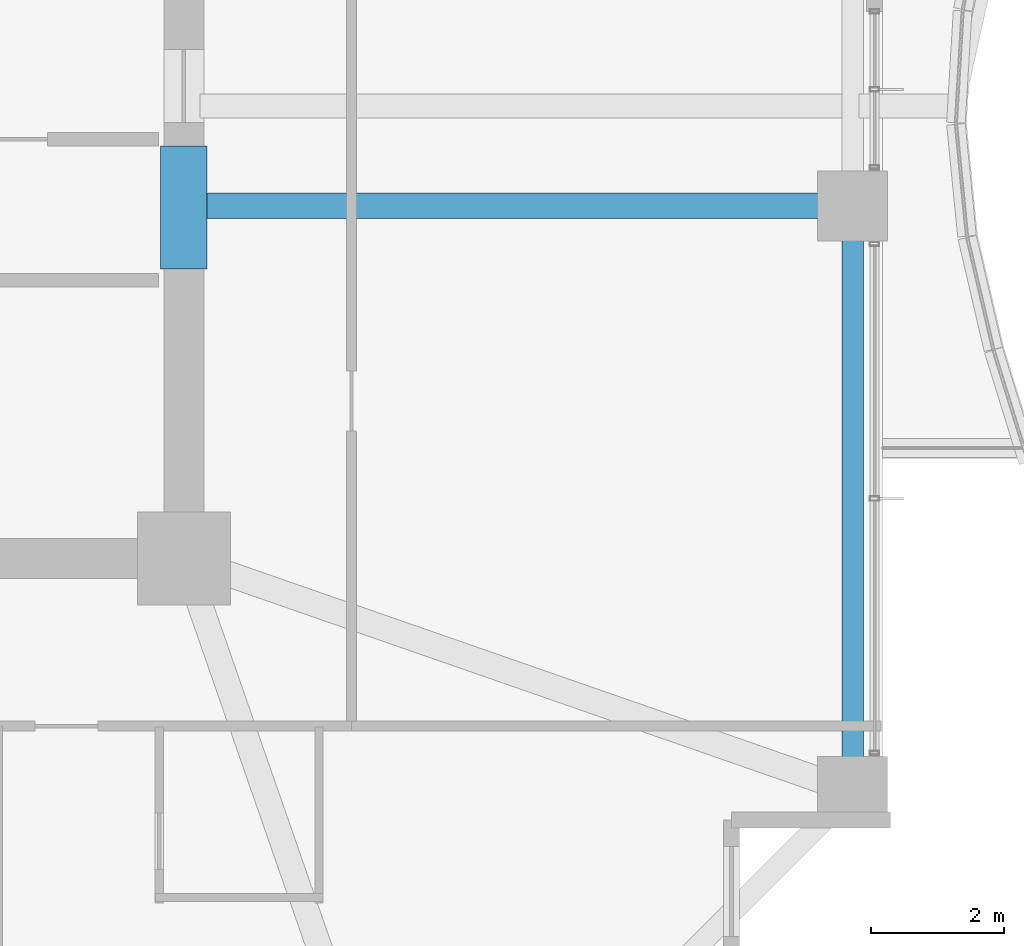
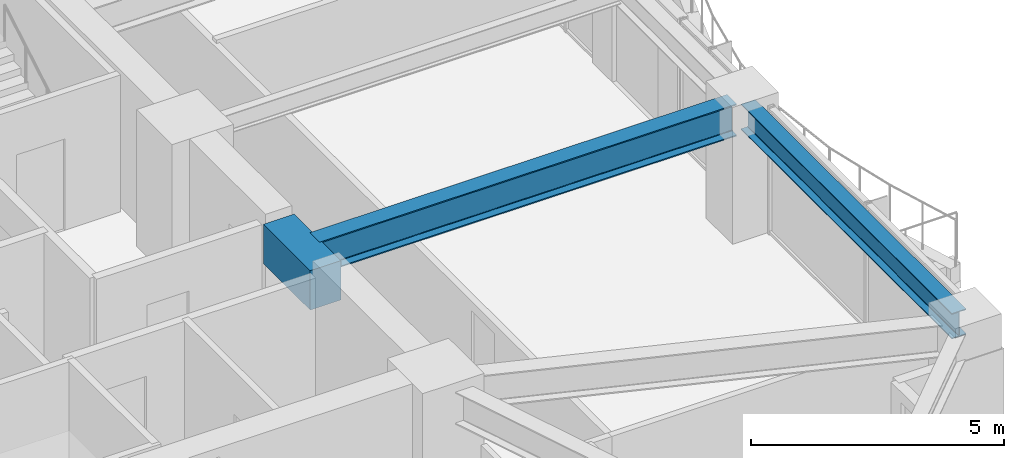
# One storey, part 14 of 36: 3 beams.
"""IFC4 building model written with IfcOpenShell, lengths in metres."""

import ifcopenshell
import ifcopenshell.guid

model = None  # the IFC model being written
_history = None  # IfcOwnerHistory: only IFC2X3 demands one
_inside = {}  # id of a spatial element -> (the spatial element, [elements in it])
_under = {}  # id of a project, library or spatial element -> (it, [spatial elements below it])
_declared = {}  # id of a project -> (the project, [libraries it declares])
_typed = {}  # id of a type object -> (the type object, [elements of that type])
_made_of = {}  # id of a material, layer set ... -> (it, [elements and type objects made of it])


def new_model(schema):
    """Start an empty IFC model of exactly this schema.

    Asked for "IFC4X3", IfcOpenShell would pick the latest addendum, in which some entities
    have other attributes; the version numbers below select the first issue.
    IFC2X3 requires an IfcOwnerHistory on every rooted entity: one is made here for all.
    """
    global model, _history
    if schema == "IFC4X3":
        model = ifcopenshell.file(schema_version=(4, 3, 0, 0))
    else:
        model = ifcopenshell.file(schema=schema)
    _inside.clear()
    _under.clear()
    _declared.clear()
    _typed.clear()
    _made_of.clear()
    _history = None
    if model.schema == "IFC2X3":
        org = make("IfcOrganization", Name="unknown")
        user = make(
            "IfcPersonAndOrganization",
            ThePerson=make("IfcPerson", FamilyName="unknown"),
            TheOrganization=org,
        )
        app = make(
            "IfcApplication",
            ApplicationDeveloper=org,
            Version="unknown",
            ApplicationFullName="unknown",
            ApplicationIdentifier="unknown",
        )
        _history = make(
            "IfcOwnerHistory",
            OwningUser=user,
            OwningApplication=app,
            ChangeAction="ADDED",
            CreationDate=0,
        )
    return model


def make(cls, **values):
    """One entity of the class cls with the attributes given. An attribute that is None is left unset."""
    return model.create_entity(
        cls, **{name: value for name, value in values.items() if value is not None}
    )


def rooted(cls, **values):
    """An entity with a GlobalId (a new one), such as an element, a storey or a relation."""
    return make(cls, GlobalId=ifcopenshell.guid.new(), OwnerHistory=_history, **values)


def si_unit(unit_type, name, prefix=None):
    """IfcSIUnit, for example si_unit("LENGTHUNIT", "METRE", prefix="MILLI")."""
    return make("IfcSIUnit", UnitType=unit_type, Prefix=prefix, Name=name)


def assignment(units):
    """IfcUnitAssignment: the units of a project."""
    return None if units is None else make("IfcUnitAssignment", Units=units)


def point(xyz):
    """IfcCartesianPoint."""
    return None if xyz is None else make("IfcCartesianPoint", Coordinates=xyz)


def direction(xyz):
    """IfcDirection."""
    return None if xyz is None else make("IfcDirection", DirectionRatios=xyz)


def frame(location, z_axis=None, x_axis=None):
    """IfcAxis2Placement3D, a coordinate frame: its origin and axes. An axis left out is left unset."""
    return make(
        "IfcAxis2Placement3D",
        Location=point(location),
        Axis=direction(z_axis),
        RefDirection=direction(x_axis),
    )


def frame_2d(location, x_axis=None):
    """IfcAxis2Placement2D, a coordinate frame in the plane: its origin and x axis."""
    return make(
        "IfcAxis2Placement2D", Location=point(location), RefDirection=direction(x_axis)
    )


def origin():
    """The frame at (0, 0, 0) with its axes left unset."""
    return frame((0.0, 0.0, 0.0))


def origin_2d():
    """The frame at (0, 0) in the plane with its x axis left unset."""
    return frame_2d((0.0, 0.0))


def place(relative_to, where):
    """IfcLocalPlacement: puts the frame where relative to a parent placement (None: the world)."""
    return make(
        "IfcLocalPlacement", PlacementRelTo=relative_to, RelativePlacement=where
    )


def context(
    kind, dimensions, precision=None, world=None, true_north=None, identifier=None
):
    """IfcGeometricRepresentationContext, for example the 3D "Model" context."""
    return make(
        "IfcGeometricRepresentationContext",
        ContextIdentifier=identifier,
        ContextType=kind,
        CoordinateSpaceDimension=dimensions,
        Precision=precision,
        WorldCoordinateSystem=world,
        TrueNorth=true_north,
    )


def subcontext(parent, identifier, kind, view, scale=None):
    """IfcGeometricRepresentationSubContext, for example "Body" below "Model"."""
    return make(
        "IfcGeometricRepresentationSubContext",
        ContextIdentifier=identifier,
        ContextType=kind,
        ParentContext=parent,
        TargetScale=scale,
        TargetView=view,
    )


def project(units=None, contexts=None):
    """IfcProject with its units and contexts."""
    return rooted(
        "IfcProject",
        Name="project",
        RepresentationContexts=contexts,
        UnitsInContext=assignment(units),
    )


def spatial(cls, under=None, at=None, **own):
    """A site, building, storey or space (cls), placed at a placement, below another one or the project."""
    s = rooted(cls, ObjectPlacement=at, **own)
    if under is not None:
        _under.setdefault(under.id(), (under, []))[1].append(s)
    return s


def profile(cls, at=None, kind="AREA", **sizes):
    """A parametric profile (cls). Its sizes go by their IFC names, for example OverallWidth=200.0."""
    return make(cls, ProfileType=kind, Position=at, **sizes)


def rectangle(**sizes):
    """IfcRectangleProfileDef."""
    return profile("IfcRectangleProfileDef", **sizes)


def i_section(**sizes):
    """IfcIShapeProfileDef."""
    return profile("IfcIShapeProfileDef", **sizes)


def extrude(swept, where, along, depth):
    """IfcExtrudedAreaSolid: the profile swept, set in the frame where, extruded along a direction by depth."""
    return make(
        "IfcExtrudedAreaSolid",
        SweptArea=swept,
        Position=where,
        ExtrudedDirection=direction(along),
        Depth=depth,
    )


def shape(context_of_items, identifier, shape_type, items):
    """IfcShapeRepresentation: the items that make up one representation, for example the "Body"."""
    return make(
        "IfcShapeRepresentation",
        ContextOfItems=context_of_items,
        RepresentationIdentifier=identifier,
        RepresentationType=shape_type,
        Items=items,
    )


def material(Name=None, Category=None):
    """IfcMaterial."""
    return make("IfcMaterial", Name=Name, Category=Category)


def material_profile(
    of_material, cross_section, Name=None, Category=None, Priority=None
):
    """IfcMaterialProfile: a cross section and its material."""
    return make(
        "IfcMaterialProfile",
        Name=Name,
        Material=of_material,
        Profile=cross_section,
        Priority=Priority,
        Category=Category,
    )


def profile_set(profiles, Name=None, composite=None):
    """IfcMaterialProfileSet."""
    return make(
        "IfcMaterialProfileSet",
        Name=Name,
        MaterialProfiles=profiles,
        CompositeProfile=composite,
    )


def made_of(thing, what):
    """Note that an element or type object is made of a material, layer set ...; save() writes the relation."""
    if what is not None:
        _made_of.setdefault(what.id(), (what, []))[1].append(thing)
    return thing


def type_object(cls, material=None, **own):
    """A type object (cls), such as IfcWallType, which elements share."""
    return made_of(rooted(cls, **own), material)


def element(
    cls,
    number,
    at=None,
    inside=None,
    cuts=None,
    type_object=None,
    material=None,
    context=None,
    identifier="Body",
    shape_type=None,
    held_by="IfcProductDefinitionShape",
    body=None,
    shapes=None,
    **own,
):
    """One element of the class cls, such as IfcWall. Its Tag is "e" and its number.

    at: its placement. inside: the storey or other place that contains it. cuts: it is an
    opening in that element (IfcRelVoidsElement). A single representation is given by context,
    identifier, shape_type and body (its items); several are given by shapes. held_by: the class
    of the entity that holds the representations. save() writes the other relations.
    """
    e = rooted(cls, Tag="e%d" % number, ObjectPlacement=at, **own)
    if body is not None:
        shapes = [shape(context, identifier, shape_type, body)]
    if shapes is not None:
        e.Representation = make(held_by, Representations=shapes)
    if inside is not None:
        _inside.setdefault(inside.id(), (inside, []))[1].append(e)
    if cuts is not None:
        rooted(
            "IfcRelVoidsElement", RelatingBuildingElement=cuts, RelatedOpeningElement=e
        )
    if type_object is not None:
        _typed.setdefault(type_object.id(), (type_object, []))[1].append(e)
    return made_of(e, material)


def aggregate(whole, parts):
    """IfcRelAggregates: a whole, such as a stair, and the parts it consists of."""
    return rooted("IfcRelAggregates", RelatingObject=whole, RelatedObjects=parts)


def save(model, path):
    """Write the relations noted so far, then the file.

    IfcRelAggregates (storeys below a building ...), IfcRelContainedInSpatialStructure (elements
    in a storey), IfcRelDefinesByType, IfcRelAssociatesMaterial and IfcRelDeclares: one each for
    every whole, place, type object, material and project.
    """
    for whole, parts in _under.values():
        aggregate(whole, parts)
    for where, things in _inside.values():
        rooted(
            "IfcRelContainedInSpatialStructure",
            RelatedElements=things,
            RelatingStructure=where,
        )
    for kind, things in _typed.values():
        rooted("IfcRelDefinesByType", RelatedObjects=things, RelatingType=kind)
    for what, things in _made_of.values():
        rooted("IfcRelAssociatesMaterial", RelatedObjects=things, RelatingMaterial=what)
    for by, libraries in _declared.values():
        rooted("IfcRelDeclares", RelatingContext=by, RelatedDefinitions=libraries)
    model.write(path)


model = new_model("IFC4")

# Units and contexts
model_context = context("Model", 3, precision=1e-05, world=origin(), true_north=direction((0.0, 1.0)))
body_context = subcontext(model_context, "Body", "Model", "MODEL_VIEW")
ifc_project = project(units=[si_unit("LENGTHUNIT", "METRE"), si_unit("AREAUNIT", "SQUARE_METRE"), si_unit("VOLUMEUNIT", "CUBIC_METRE"), si_unit("PLANEANGLEUNIT", "RADIAN"), si_unit("MASSUNIT", "GRAM", prefix="KILO")], contexts=[model_context])

# Site, building, storey
site_placement = place(None, origin())
site = spatial("IfcSite", under=ifc_project, at=site_placement, CompositionType="ELEMENT")
building_placement = place(site_placement, origin())
building = spatial("IfcBuilding", under=site, at=building_placement, Name="Kolvaren Belvedere", CompositionType="ELEMENT")
storey_placement = place(building_placement, frame((0.0, 0.0, 88.699951171875)))
storey = spatial("IfcBuildingStorey", under=building, at=storey_placement, Name="L25", CompositionType="ELEMENT", Elevation=88.699951171875)

# Beams
ifc_material_1 = material(Name="Structural steel ASTM A992 Grade 50", Category="steel")
ifc_material_profile_1 = material_profile(ifc_material_1, i_section(OverallWidth=0.381103515625, OverallDepth=0.77294921875, WebThickness=0.0166015625, FlangeThickness=0.027099609375, FilletRadius=0.02392578125, at=origin_2d()), Name="W30X173")
ifc_profile_set_1 = profile_set([ifc_material_profile_1], Name="Structural steel ASTM A992 Grade 50")
beam_type_1 = type_object("IfcBeamType", Name="BM-GIRD-W30X173", PredefinedType="BEAM", material=ifc_profile_set_1)
beam_1_placement = place(storey_placement, frame((10.199951171875, -4.60009765625, 2.693603515625), z_axis=(1.0, 0.0, 0.0), x_axis=(0.0, 1.0, 0.0)))
element("IfcBeam", 1, at=beam_1_placement, inside=storey, type_object=beam_type_1, Name="L25 East Radial Girder M", PredefinedType="BEAM", context=body_context, shape_type="SweptSolid", body=[
    extrude(i_section(OverallWidth=0.381103515625, OverallDepth=0.77294921875, WebThickness=0.0166015625, FlangeThickness=0.027099609375, FilletRadius=0.02392578125, at=origin_2d()), origin(), (0.0, 0.0, 1.0), 9.513916015625),
])
ifc_material_2 = material(Name="Concrete C60/75", Category="concrete")
ifc_material_profile_2 = material_profile(ifc_material_2, rectangle(XDim=0.699951171875, YDim=0.949951171875, at=origin_2d()), Name="RC 700X950")
ifc_profile_set_2 = profile_set([ifc_material_profile_2], Name="Concrete C60/75")
beam_type_2 = type_object("IfcBeamType", Name="BM-LINT-950", PredefinedType="LINTEL", material=ifc_profile_set_2)
beam_2_placement = place(storey_placement, frame((9.89990234375, -5.550048828125, 2.60498046875), z_axis=(0.0, 1.0, 0.0), x_axis=(-1.0, 0.0, 0.0)))
element("IfcBeam", 2, at=beam_2_placement, inside=storey, type_object=beam_type_2, Name="L25 East Core Coupling Lintel", PredefinedType="LINTEL", context=body_context, shape_type="SweptSolid", body=[
    extrude(rectangle(XDim=0.699951171875, YDim=0.949951171875, at=origin_2d()), origin(), (0.0, 0.0, 1.0), 1.85009765625),
])
ifc_material_3 = material(Name="Structural steel ASTM A992 Grade 50", Category="steel")
ifc_material_profile_3 = material_profile(ifc_material_3, i_section(OverallWidth=0.324951171875, OverallDepth=0.615966796875, WebThickness=0.013916015625, FlangeThickness=0.021484375, FilletRadius=0.02001953125, at=origin_2d()), Name="W24X117")
ifc_profile_set_3 = profile_set([ifc_material_profile_3], Name="Structural steel ASTM A992 Grade 50")
beam_type_3 = type_object("IfcBeamType", Name="BM-SPAN-W24X117", PredefinedType="SPANDREL", material=ifc_profile_set_3)
beam_3_placement = place(storey_placement, frame((19.949951171875, -13.163818359375, 2.77197265625), z_axis=(0.0, 1.0, 0.0), x_axis=(-1.0, 0.0, 0.0)))
element("IfcBeam", 3, at=beam_3_placement, inside=storey, type_object=beam_type_3, Name="L25 Perimeter Spandrel E1-E2", PredefinedType="SPANDREL", context=body_context, shape_type="SweptSolid", body=[
    extrude(i_section(OverallWidth=0.324951171875, OverallDepth=0.615966796875, WebThickness=0.013916015625, FlangeThickness=0.021484375, FilletRadius=0.02001953125, at=origin_2d()), origin(), (0.0, 0.0, 1.0), 8.32763671875),
])

save(model, "model.ifc")
